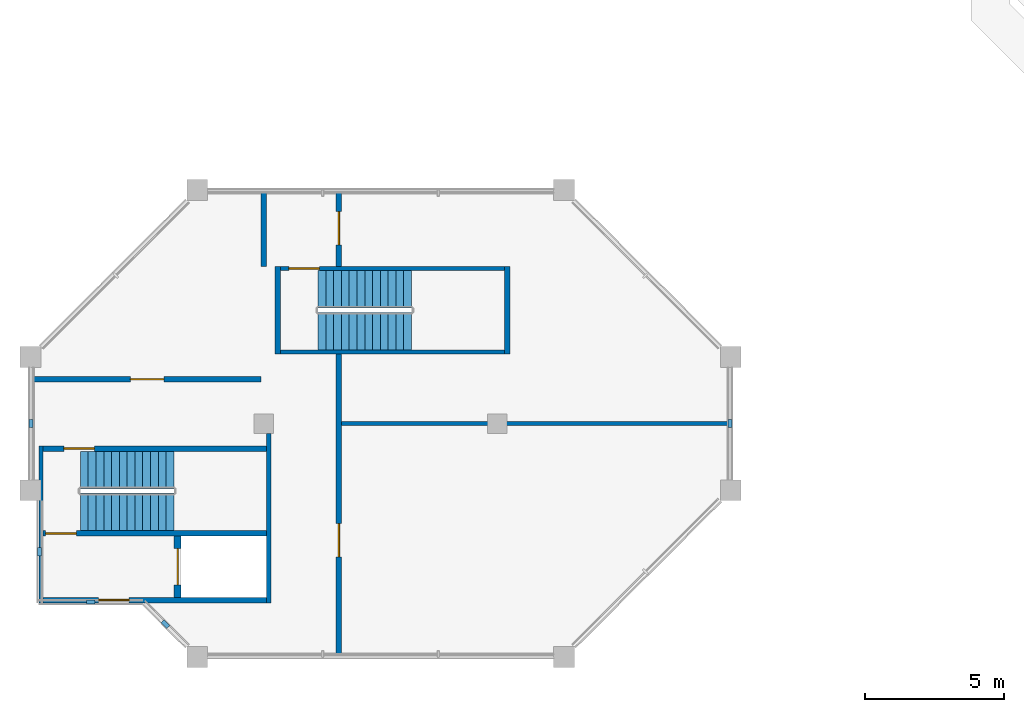
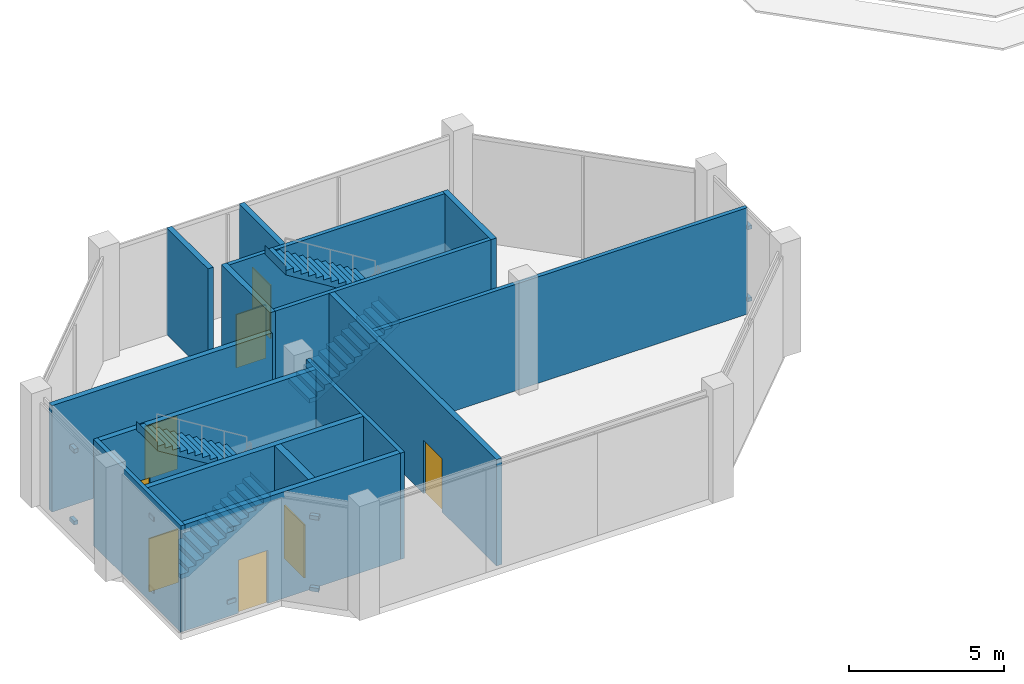
# One storey, part 2 of 4: 15 walls, 10 discrete accessories, 8 doors, 4 stair flights, 8 openings, 2 elements without a shape of their own.
"""IFC4 building model written with IfcOpenShell, lengths in metres."""

from ifc_helpers import new_model, si_unit, direction, frame, frame_2d, origin, origin_2d, place, context, subcontext, project, spatial, polyline, rectangle, outline, extrude, material, layer, layer_set, type_object, element, fill, aggregate, save


model = new_model("IFC4")

# Units and contexts
model_context = context("Model", 3, precision=1e-05, world=origin(), true_north=direction((0.0, 1.0)))
body_context = subcontext(model_context, "Body", "Model", "MODEL_VIEW")
ifc_project = project(units=[si_unit("LENGTHUNIT", "METRE"), si_unit("AREAUNIT", "SQUARE_METRE"), si_unit("VOLUMEUNIT", "CUBIC_METRE"), si_unit("PLANEANGLEUNIT", "RADIAN"), si_unit("MASSUNIT", "GRAM", prefix="KILO")], contexts=[model_context])

# Site, building, storey
site_placement = place(None, origin())
site = spatial("IfcSite", under=ifc_project, at=site_placement, CompositionType="ELEMENT")
building_placement = place(site_placement, origin())
building = spatial("IfcBuilding", under=site, at=building_placement, Name="Kawkab Arch Medical Tower", CompositionType="ELEMENT")
storey_placement = place(building_placement, frame((0.0, 0.0, 354.699951171875)))
storey = spatial("IfcBuildingStorey", under=building, at=storey_placement, Name="L82", CompositionType="ELEMENT", Elevation=354.699951171875)

# Wall, opening, door
ifc_material_1 = material(Name="Concrete C60/75", Category="concrete")
ifc_layer_1 = layer(ifc_material_1, 0.25)
ifc_layer_set_1 = layer_set([ifc_layer_1], Name="Concrete C60/75")
wall_type_1 = type_object("IfcWallType", Name="Core shear wall 250 C60/75", PredefinedType="SHEAR", material=ifc_layer_set_1)
wall_1_placement = place(storey_placement, frame((5.300048828125, -39.85009765625, 0.0), z_axis=(0.0, 0.0, 1.0), x_axis=(0.0, 1.0, 0.0)))
wall_1 = element("IfcWall", 1, at=wall_1_placement, inside=storey, type_object=wall_type_1, Name="L82 core shear wall", PredefinedType="SHEAR", context=body_context, shape_type="SweptSolid", body=[
    extrude(rectangle(XDim=2.2001953125, YDim=0.25, at=frame_2d((1.10009765625, 0.0))), origin(), (0.0, 0.0, 1.0), 4.199951171875),
])
opening_1_placement = place(wall_1_placement, frame((0.449951171875, 0.0, 0.0)))
opening_1 = element("IfcOpeningElement", 2, at=opening_1_placement, cuts=wall_1, Name="Opening LD2", PredefinedType="OPENING", context=body_context, shape_type="SweptSolid", body=[
    extrude(rectangle(XDim=1.300048828125, YDim=2.10009765625, at=frame_2d((0.64990234375, 1.050048828125))), frame((0.0, 0.135009765625, 0.0), z_axis=(0.0, -1.0, 0.0), x_axis=(1.0, 0.0, 0.0)), (0.0, 0.0, 1.0), 0.27001953125),
])
ifc_material_2 = material(Name="Stainless steel lift door leaf", Category="steel")
door_type_1 = type_object("IfcDoorType", Name="Lift landing door 1300", OperationType="DOUBLE_DOOR_SLIDING", PredefinedType="DOOR", material=ifc_material_2)
door_1_placement = place(opening_1_placement, origin())
door_1 = element("IfcDoor", 3, at=door_1_placement, inside=storey, type_object=door_type_1, Name="L82 Lift landing door SV2", OperationType="DOUBLE_DOOR_SLIDING", OverallHeight=2.10009765625, OverallWidth=1.300048828125, PredefinedType="DOOR", context=body_context, shape_type="SweptSolid", body=[
    extrude(rectangle(XDim=1.300048828125, YDim=2.10009765625, at=frame_2d((0.64990234375, 1.050048828125))), frame((0.0, 0.02490234375, 0.0), z_axis=(0.0, -1.0, 0.0), x_axis=(1.0, 0.0, 0.0)), (0.0, 0.0, 1.0), 0.050048828125),
])
fill(opening_1, door_1)

# Wall
ifc_material_3 = material(Name="Gypsum board partition on steel studs, mineral wool", Category="steel")
ifc_layer_2 = layer(ifc_material_3, 0.14990234375)
ifc_layer_set_2 = layer_set([ifc_layer_2], Name="Gypsum board partition on steel studs, mineral wool")
wall_type_2 = type_object("IfcWallType", Name="Partition 150", PredefinedType="PARTITIONING", material=ifc_layer_set_2)
wall_2_placement = place(storey_placement, frame((11.199951171875, -33.60009765625, 0.0), z_axis=(0.0, 0.0, 1.0), x_axis=(1.0, 0.0, 0.0)))
element("IfcWall", 4, at=wall_2_placement, inside=storey, type_object=wall_type_2, Name="Partition 150 w001", PredefinedType="PARTITIONING", context=body_context, shape_type="SweptSolid", body=[
    extrude(rectangle(XDim=13.920166015625, YDim=0.14990234375, at=frame_2d((6.9599609375, 0.0))), origin(), (0.0, 0.0, 1.0), 4.199951171875),
])

# Wall, opening, door
ifc_material_4 = material(Name="Fire-rated gypsum board partition on steel studs", Category="steel")
ifc_layer_3 = layer(ifc_material_4, 0.199951171875)
ifc_layer_set_3 = layer_set([ifc_layer_3], Name="Fire-rated gypsum board partition on steel studs")
wall_type_3 = type_object("IfcWallType", Name="Protected partition 200", PredefinedType="PARTITIONING", material=ifc_layer_set_3)
wall_3_placement = place(storey_placement, frame((0.080078125, -32.007080078125, 0.0), z_axis=(0.0, 0.0, 1.0), x_axis=(1.0, 0.0, 0.0)))
wall_3 = element("IfcWall", 5, at=wall_3_placement, inside=storey, type_object=wall_type_3, Name="Protected partition 200 w002", PredefinedType="PARTITIONING", context=body_context, shape_type="SweptSolid", body=[
    extrude(rectangle(XDim=8.219970703125, YDim=0.199951171875, at=frame_2d((4.10986328125, 0.0))), origin(), (0.0, 0.0, 1.0), 4.199951171875),
])
opening_2_placement = place(wall_3_placement, frame((3.52001953125, 0.0, 0.0)))
opening_2 = element("IfcOpeningElement", 6, at=opening_2_placement, cuts=wall_3, Name="Opening C82-003", PredefinedType="OPENING", context=body_context, shape_type="SweptSolid", body=[
    extrude(rectangle(XDim=1.199951171875, YDim=2.10009765625, at=frame_2d((0.60009765625, 1.050048828125))), frame((0.0, 0.10986328125, 0.0), z_axis=(0.0, -1.0, 0.0), x_axis=(1.0, 0.0, 0.0)), (0.0, 0.0, 1.0), 0.219970703125),
])
ifc_material_5 = material(Name="Hollow metal door leaf")
door_type_2 = type_object("IfcDoorType", Name="Single door 1200x2100 FD60", OperationType="NOTDEFINED", PredefinedType="DOOR", material=ifc_material_5)
door_2_placement = place(opening_2_placement, origin())
door_2 = element("IfcDoor", 7, at=door_2_placement, inside=storey, type_object=door_type_2, Name="Door C82-003", OperationType="SINGLE_SWING_RIGHT", OverallHeight=2.10009765625, OverallWidth=1.199951171875, PredefinedType="DOOR", context=body_context, shape_type="SweptSolid", body=[
    extrude(rectangle(XDim=1.199951171875, YDim=2.10009765625, at=frame_2d((0.60009765625, 1.050048828125))), frame((0.0, 0.02490234375, 0.0), z_axis=(0.0, -1.0, 0.0), x_axis=(1.0, 0.0, 0.0)), (0.0, 0.0, 1.0), 0.050048828125),
])
fill(opening_2, door_2)

# Wall
wall_4_placement = place(storey_placement, frame((8.39990234375, -27.949951171875, 0.0), z_axis=(0.0, 0.0, 1.0), x_axis=(0.0, 1.0, 0.0)))
element("IfcWall", 8, at=wall_4_placement, inside=storey, type_object=wall_type_3, Name="Protected partition 200 w003", PredefinedType="PARTITIONING", context=body_context, shape_type="SweptSolid", body=[
    extrude(rectangle(XDim=2.669921875, YDim=0.199951171875, at=frame_2d((1.3349609375, 0.0))), origin(), (0.0, 0.0, 1.0), 4.199951171875),
])

# Wall, opening, door
wall_5_placement = place(storey_placement, frame((11.10009765625, -41.919921875, 0.0), z_axis=(0.0, 0.0, 1.0), x_axis=(0.0, 1.0, 0.0)))
wall_5 = element("IfcWall", 9, at=wall_5_placement, inside=storey, type_object=wall_type_3, Name="Protected partition 200 w004", PredefinedType="PARTITIONING", context=body_context, shape_type="SweptSolid", body=[
    extrude(rectangle(XDim=10.81982421875, YDim=0.199951171875, at=frame_2d((5.409912109375, 0.0))), origin(), (0.0, 0.0, 1.0), 4.199951171875),
])
opening_3_placement = place(wall_5_placement, frame((3.52001953125, 0.0, 0.0)))
opening_3 = element("IfcOpeningElement", 10, at=opening_3_placement, cuts=wall_5, Name="Opening C82-002", PredefinedType="OPENING", context=body_context, shape_type="SweptSolid", body=[
    extrude(rectangle(XDim=1.199951171875, YDim=2.10009765625, at=frame_2d((0.60009765625, 1.050048828125))), frame((0.0, 0.10986328125, 0.0), z_axis=(0.0, -1.0, 0.0), x_axis=(1.0, 0.0, 0.0)), (0.0, 0.0, 1.0), 0.219970703125),
])
door_3_placement = place(opening_3_placement, origin())
door_3 = element("IfcDoor", 11, at=door_3_placement, inside=storey, type_object=door_type_2, Name="Door C82-002", OperationType="SINGLE_SWING_RIGHT", OverallHeight=2.10009765625, OverallWidth=1.199951171875, PredefinedType="DOOR", context=body_context, shape_type="SweptSolid", body=[
    extrude(rectangle(XDim=1.199951171875, YDim=2.10009765625, at=frame_2d((0.60009765625, 1.050048828125))), frame((0.0, 0.02490234375, 0.0), z_axis=(0.0, -1.0, 0.0), x_axis=(1.0, 0.0, 0.0)), (0.0, 0.0, 1.0), 0.050048828125),
])
fill(opening_3, door_3)

wall_6_placement = place(storey_placement, frame((11.10009765625, -27.949951171875, 0.0), z_axis=(0.0, 0.0, 1.0), x_axis=(0.0, 1.0, 0.0)))
wall_6 = element("IfcWall", 12, at=wall_6_placement, inside=storey, type_object=wall_type_3, Name="Protected partition 200 w005", PredefinedType="PARTITIONING", context=body_context, shape_type="SweptSolid", body=[
    extrude(rectangle(XDim=2.669921875, YDim=0.199951171875, at=frame_2d((1.3349609375, 0.0))), origin(), (0.0, 0.0, 1.0), 4.199951171875),
])
opening_4_placement = place(wall_6_placement, frame((0.77490234375, 0.0, 0.0)))
opening_4 = element("IfcOpeningElement", 13, at=opening_4_placement, cuts=wall_6, Name="Opening C82-001", PredefinedType="OPENING", context=body_context, shape_type="SweptSolid", body=[
    extrude(rectangle(XDim=1.199951171875, YDim=2.10009765625, at=frame_2d((0.60009765625, 1.050048828125))), frame((0.0, 0.10986328125, 0.0), z_axis=(0.0, -1.0, 0.0), x_axis=(1.0, 0.0, 0.0)), (0.0, 0.0, 1.0), 0.219970703125),
])
door_4_placement = place(opening_4_placement, origin())
door_4 = element("IfcDoor", 14, at=door_4_placement, inside=storey, type_object=door_type_2, Name="Door C82-001", OperationType="SINGLE_SWING_LEFT", OverallHeight=2.10009765625, OverallWidth=1.199951171875, PredefinedType="DOOR", context=body_context, shape_type="SweptSolid", body=[
    extrude(rectangle(XDim=1.199951171875, YDim=2.10009765625, at=frame_2d((0.60009765625, 1.050048828125))), frame((0.0, 0.02490234375, 0.0), z_axis=(0.0, -1.0, 0.0), x_axis=(1.0, 0.0, 0.0)), (0.0, 0.0, 1.0), 0.050048828125),
])
fill(opening_4, door_4)

# Walls
ifc_material_6 = material(Name="Concrete C50/60", Category="concrete")
ifc_layer_4 = layer(ifc_material_6, 0.14990234375)
ifc_layer_set_4 = layer_set([ifc_layer_4], Name="Concrete C50/60")
wall_type_4 = type_object("IfcWallType", Name="Stair enclosure wall 150 C50/60", PredefinedType="SHEAR", material=ifc_layer_set_4)
wall_7_placement = place(storey_placement, frame((0.375, -40.050048828125, 0.0), z_axis=(0.0, 0.0, 1.0), x_axis=(0.0, 1.0, 0.0)))
element("IfcWall", 15, at=wall_7_placement, inside=storey, type_object=wall_type_4, Name="L82 stair enclosure wall", PredefinedType="SHEAR", context=body_context, shape_type="SweptSolid", body=[
    extrude(rectangle(XDim=5.650146484375, YDim=0.14990234375, at=frame_2d((2.8251953125, 0.0))), origin(), (0.0, 0.0, 1.0), 4.199951171875),
])
wall_8_placement = place(storey_placement, frame((8.574951171875, -40.050048828125, 0.0), z_axis=(0.0, 0.0, 1.0), x_axis=(0.0, 1.0, 0.0)))
element("IfcWall", 16, at=wall_8_placement, inside=storey, type_object=wall_type_4, Name="L82 stair enclosure wall", PredefinedType="SHEAR", context=body_context, shape_type="SweptSolid", body=[
    extrude(rectangle(XDim=6.10009765625, YDim=0.14990234375, at=frame_2d((3.050048828125, 0.0))), origin(), (0.0, 0.0, 1.0), 4.199951171875),
])

# Wall, opening, door
wall_9_placement = place(storey_placement, frame((9.0, -28.02490234375, 0.0), z_axis=(0.0, 0.0, 1.0), x_axis=(1.0, 0.0, 0.0)))
wall_9 = element("IfcWall", 17, at=wall_9_placement, inside=storey, type_object=wall_type_4, Name="L82 stair enclosure wall", PredefinedType="SHEAR", context=body_context, shape_type="SweptSolid", body=[
    extrude(rectangle(XDim=8.050048828125, YDim=0.14990234375, at=frame_2d((4.02490234375, 0.0))), origin(), (0.0, 0.0, 1.0), 4.199951171875),
])
opening_5_placement = place(wall_9_placement, frame((0.300048828125, 0.0, 0.0)))
opening_5 = element("IfcOpeningElement", 18, at=opening_5_placement, cuts=wall_9, Name="Opening SD", PredefinedType="OPENING", context=body_context, shape_type="SweptSolid", body=[
    extrude(rectangle(XDim=1.10009765625, YDim=2.10009765625, at=frame_2d((0.550048828125, 1.050048828125))), frame((0.0, 0.0849609375, 0.0), z_axis=(0.0, -1.0, 0.0), x_axis=(1.0, 0.0, 0.0)), (0.0, 0.0, 1.0), 0.169921875),
])
ifc_material_7 = material(Name="Hollow metal fire door leaf")
door_type_3 = type_object("IfcDoorType", Name="Exit stair door 1100", OperationType="SINGLE_SWING_LEFT", PredefinedType="DOOR", material=ifc_material_7)
door_5_placement = place(opening_5_placement, origin())
door_5 = element("IfcDoor", 19, at=door_5_placement, inside=storey, type_object=door_type_3, Name="L82 Exit stair ST9 door", OperationType="SINGLE_SWING_LEFT", OverallHeight=2.10009765625, OverallWidth=1.10009765625, PredefinedType="DOOR", context=body_context, shape_type="SweptSolid", body=[
    extrude(rectangle(XDim=1.10009765625, YDim=2.10009765625, at=frame_2d((0.550048828125, 1.050048828125))), frame((0.0, 0.02490234375, 0.0), z_axis=(0.0, -1.0, 0.0), x_axis=(1.0, 0.0, 0.0)), (0.0, 0.0, 1.0), 0.050048828125),
])
fill(opening_5, door_5)

# Wall
wall_10_placement = place(storey_placement, frame((9.0, -31.02490234375, 0.0), z_axis=(0.0, 0.0, 1.0), x_axis=(1.0, 0.0, 0.0)))
element("IfcWall", 20, at=wall_10_placement, inside=storey, type_object=wall_type_4, Name="L82 stair enclosure wall", PredefinedType="SHEAR", context=body_context, shape_type="SweptSolid", body=[
    extrude(rectangle(XDim=8.050048828125, YDim=0.14990234375, at=frame_2d((4.02490234375, 0.0))), origin(), (0.0, 0.0, 1.0), 4.199951171875),
])

# Wall, opening, door
ifc_material_8 = material(Name="Concrete C50/60", Category="concrete")
ifc_layer_5 = layer(ifc_material_8, 0.199951171875)
ifc_layer_set_5 = layer_set([ifc_layer_5], Name="Concrete C50/60")
wall_type_5 = type_object("IfcWallType", Name="Stair enclosure wall 200 C50/60", PredefinedType="SHEAR", material=ifc_layer_set_5)
wall_11_placement = place(storey_placement, frame((0.449951171875, -34.5, 0.0), z_axis=(0.0, 0.0, 1.0), x_axis=(1.0, 0.0, 0.0)))
wall_11 = element("IfcWall", 21, at=wall_11_placement, inside=storey, type_object=wall_type_5, Name="L82 stair enclosure wall", PredefinedType="SHEAR", context=body_context, shape_type="SweptSolid", body=[
    extrude(rectangle(XDim=8.050048828125, YDim=0.199951171875, at=frame_2d((4.02490234375, 0.0))), origin(), (0.0, 0.0, 1.0), 4.199951171875),
])
opening_6_placement = place(wall_11_placement, frame((0.75, 0.0, 0.0)))
opening_6 = element("IfcOpeningElement", 22, at=opening_6_placement, cuts=wall_11, Name="Opening SD", PredefinedType="OPENING", context=body_context, shape_type="SweptSolid", body=[
    extrude(rectangle(XDim=1.10009765625, YDim=2.10009765625, at=frame_2d((0.550048828125, 1.050048828125))), frame((0.0, 0.10986328125, 0.0), z_axis=(0.0, -1.0, 0.0), x_axis=(1.0, 0.0, 0.0)), (0.0, 0.0, 1.0), 0.219970703125),
])
door_6_placement = place(opening_6_placement, origin())
door_6 = element("IfcDoor", 23, at=door_6_placement, inside=storey, type_object=door_type_3, Name="L82 Exit stair ST6 door", OperationType="SINGLE_SWING_LEFT", OverallHeight=2.10009765625, OverallWidth=1.10009765625, PredefinedType="DOOR", context=body_context, shape_type="SweptSolid", body=[
    extrude(rectangle(XDim=1.10009765625, YDim=2.10009765625, at=frame_2d((0.550048828125, 1.050048828125))), frame((0.0, 0.02490234375, 0.0), z_axis=(0.0, -1.0, 0.0), x_axis=(1.0, 0.0, 0.0)), (0.0, 0.0, 1.0), 0.050048828125),
])
fill(opening_6, door_6)

wall_12_placement = place(storey_placement, frame((0.449951171875, -37.550048828125, 0.0), z_axis=(0.0, 0.0, 1.0), x_axis=(1.0, 0.0, 0.0)))
wall_12 = element("IfcWall", 24, at=wall_12_placement, inside=storey, type_object=wall_type_5, Name="L82 stair enclosure wall", PredefinedType="SHEAR", context=body_context, shape_type="SweptSolid", body=[
    extrude(rectangle(XDim=8.050048828125, YDim=0.199951171875, at=frame_2d((4.02490234375, 0.0))), origin(), (0.0, 0.0, 1.0), 4.199951171875),
])
opening_7_placement = place(wall_12_placement, frame((0.10009765625, 0.0, 0.0)))
opening_7 = element("IfcOpeningElement", 25, at=opening_7_placement, cuts=wall_12, Name="Opening SD", PredefinedType="OPENING", context=body_context, shape_type="SweptSolid", body=[
    extrude(rectangle(XDim=1.10009765625, YDim=2.10009765625, at=frame_2d((0.550048828125, 1.050048828125))), frame((0.0, 0.10986328125, 0.0), z_axis=(0.0, -1.0, 0.0), x_axis=(1.0, 0.0, 0.0)), (0.0, 0.0, 1.0), 0.219970703125),
])
door_7_placement = place(opening_7_placement, frame((1.10009765625, 0.0, 0.0), z_axis=(0.0, 0.0, 1.0), x_axis=(-1.0, 0.0, 0.0)))
door_7 = element("IfcDoor", 26, at=door_7_placement, inside=storey, type_object=door_type_3, Name="L82 Exit stair ST6 lobby door", OperationType="SINGLE_SWING_LEFT", OverallHeight=2.10009765625, OverallWidth=1.10009765625, PredefinedType="DOOR", context=body_context, shape_type="SweptSolid", body=[
    extrude(rectangle(XDim=1.10009765625, YDim=2.10009765625, at=frame_2d((0.550048828125, 1.050048828125))), frame((0.0, 0.02490234375, 0.0), z_axis=(0.0, -1.0, 0.0), x_axis=(1.0, 0.0, 0.0)), (0.0, 0.0, 1.0), 0.050048828125),
])
fill(opening_7, door_7)

wall_13_placement = place(storey_placement, frame((0.449951171875, -39.949951171875, 0.0), z_axis=(0.0, 0.0, 1.0), x_axis=(1.0, 0.0, 0.0)))
wall_13 = element("IfcWall", 27, at=wall_13_placement, inside=storey, type_object=wall_type_5, Name="L82 stair enclosure wall", PredefinedType="SHEAR", context=body_context, shape_type="SweptSolid", body=[
    extrude(rectangle(XDim=8.050048828125, YDim=0.199951171875, at=frame_2d((4.02490234375, 0.0))), origin(), (0.0, 0.0, 1.0), 4.199951171875),
])
opening_8_placement = place(wall_13_placement, frame((2.0, 0.0, 0.0)))
opening_8 = element("IfcOpeningElement", 28, at=opening_8_placement, cuts=wall_13, Name="Opening FD", PredefinedType="OPENING", context=body_context, shape_type="SweptSolid", body=[
    extrude(rectangle(XDim=1.10009765625, YDim=2.10009765625, at=frame_2d((0.550048828125, 1.050048828125))), frame((0.0, 0.10986328125, 0.0), z_axis=(0.0, -1.0, 0.0), x_axis=(1.0, 0.0, 0.0)), (0.0, 0.0, 1.0), 0.219970703125),
])
ifc_material_9 = material(Name="Hollow metal fire door leaf")
door_type_4 = type_object("IfcDoorType", Name="Firefighting lobby door 1100", OperationType="SINGLE_SWING_LEFT", PredefinedType="DOOR", material=ifc_material_9)
door_8_placement = place(opening_8_placement, origin())
door_8 = element("IfcDoor", 29, at=door_8_placement, inside=storey, type_object=door_type_4, Name="L82 Service lift lobby door SV2", OperationType="SINGLE_SWING_LEFT", OverallHeight=2.10009765625, OverallWidth=1.10009765625, PredefinedType="DOOR", context=body_context, shape_type="SweptSolid", body=[
    extrude(rectangle(XDim=1.10009765625, YDim=2.10009765625, at=frame_2d((0.550048828125, 1.050048828125))), frame((0.0, 0.02490234375, 0.0), z_axis=(0.0, -1.0, 0.0), x_axis=(1.0, 0.0, 0.0)), (0.0, 0.0, 1.0), 0.050048828125),
])
fill(opening_8, door_8)

# Walls
for number, where, z_axis, x_axis, name in (
    (30, (8.89990234375, -31.10009765625, 0.0), (0.0, 0.0, 1.0), (0.0, 1.0, 0.0), "L82 stair enclosure wall"),
    (31, (17.14990234375, -31.10009765625, 0.0), (0.0, 0.0, 1.0), (0.0, 1.0, 0.0), "L82 stair enclosure wall"),
):
    element("IfcWall", number, at=place(storey_placement, frame(where, z_axis=z_axis, x_axis=x_axis)), inside=storey, type_object=wall_type_5, Name=name, PredefinedType="SHEAR", context=body_context, shape_type="SweptSolid", body=[
        extrude(rectangle(XDim=3.150146484375, YDim=0.199951171875, at=frame_2d((1.5751953125, 0.0))), origin(), (0.0, 0.0, 1.0), 4.199951171875),
    ])

# Stair, stair flights
ifc_material_10 = material(Name="Concrete C40/50", Category="concrete")
stair_type = type_object("IfcStairType", Name="Exit stair 1350", PredefinedType="HALF_TURN_STAIR", material=ifc_material_10)
placement = place(storey_placement, origin())
stair_1 = element("IfcStair", 32, at=placement, inside=storey, type_object=stair_type, Name="L82 Exit stair ST6", PredefinedType="HALF_TURN_STAIR")
ifc_material_11 = material(Name="Concrete C40/50", Category="concrete")
stair_flight_type = type_object("IfcStairFlightType", Name="Exit stair flight 1350", PredefinedType="STRAIGHT", material=ifc_material_11)
stair_flight_1_placement = place(storey_placement, frame((1.800048828125, -36.77490234375, 0.0), z_axis=(0.0, 0.0, 1.0), x_axis=(1.0, 0.0, 0.0)))
stair_flight_1 = element("IfcStairFlight", 33, at=stair_flight_1_placement, type_object=stair_flight_type, Name="ST6 flight 1", NumberOfRisers=13, NumberOfTreads=12, PredefinedType="STRAIGHT", RiserHeight=0.173076923, TreadLength=0.28, context=body_context, shape_type="SweptSolid", body=[
    extrude(outline(polyline([(-0.0029296875, 0.0), (-0.0029296875, 0.173095703125), (0.0, 0.173095703125), (0.280029296875, 0.173095703125), (0.280029296875, 0.34619140625), (0.56005859375, 0.34619140625), (0.56005859375, 0.519287109375), (0.840087890625, 0.519287109375), (0.840087890625, 0.6923828125), (1.1201171875, 0.6923828125), (1.1201171875, 0.865478515625), (1.39990234375, 0.865478515625), (1.39990234375, 1.03857421875), (1.679931640625, 1.03857421875), (1.679931640625, 1.21142578125), (1.9599609375, 1.21142578125), (1.9599609375, 1.384521484375), (2.239990234375, 1.384521484375), (2.239990234375, 1.5576171875), (2.52001953125, 1.5576171875), (2.52001953125, 1.730712890625), (2.800048828125, 1.730712890625), (2.800048828125, 1.90380859375), (3.080078125, 1.90380859375), (3.080078125, 2.076904296875), (3.360107421875, 2.076904296875), (3.360107421875, 2.25), (3.363037109375, 2.25), (3.363037109375, 1.900634765625), (3.360107421875, 1.900634765625), (0.28515625, 0.0), (-0.0029296875, 0.0)])), frame((0.0, 0.675048828125, 0.0), z_axis=(0.0, -1.0, 0.0), x_axis=(1.0, 0.0, 0.0)), (0.0, 0.0, 1.0), 1.35009765625),
])
stair_flight_2_placement = place(storey_placement, frame((5.159912109375, -35.27490234375, 2.25), z_axis=(0.0, 0.0, 1.0), x_axis=(-1.0, 0.0, 0.0)))
stair_flight_2 = element("IfcStairFlight", 34, at=stair_flight_2_placement, type_object=stair_flight_type, Name="ST6 flight 2", NumberOfRisers=13, NumberOfTreads=12, PredefinedType="STRAIGHT", RiserHeight=0.173076923, TreadLength=0.28, context=body_context, shape_type="SweptSolid", body=[
    extrude(outline(polyline([(-0.0029296875, 0.0), (-0.0029296875, 0.173095703125), (0.0, 0.173095703125), (0.280029296875, 0.173095703125), (0.280029296875, 0.34619140625), (0.56005859375, 0.34619140625), (0.56005859375, 0.519287109375), (0.840087890625, 0.519287109375), (0.840087890625, 0.6923828125), (1.1201171875, 0.6923828125), (1.1201171875, 0.865478515625), (1.39990234375, 0.865478515625), (1.39990234375, 1.03857421875), (1.679931640625, 1.03857421875), (1.679931640625, 1.21142578125), (1.9599609375, 1.21142578125), (1.9599609375, 1.384521484375), (2.239990234375, 1.384521484375), (2.239990234375, 1.5576171875), (2.52001953125, 1.5576171875), (2.52001953125, 1.730712890625), (2.800048828125, 1.730712890625), (2.800048828125, 1.90380859375), (3.080078125, 1.90380859375), (3.080078125, 2.076904296875), (3.360107421875, 2.076904296875), (3.360107421875, 2.25), (3.363037109375, 2.25), (3.363037109375, 1.900634765625), (3.360107421875, 1.900634765625), (0.28515625, 0.0), (-0.0029296875, 0.0)])), frame((0.0, 0.675048828125, 0.0), z_axis=(0.0, -1.0, 0.0), x_axis=(1.0, 0.0, 0.0)), (0.0, 0.0, 1.0), 1.35009765625),
])
aggregate(stair_1, [stair_flight_1, stair_flight_2])

stair_2 = element("IfcStair", 35, at=placement, inside=storey, type_object=stair_type, Name="L82 Exit stair ST9", PredefinedType="HALF_TURN_STAIR")
stair_flight_3_placement = place(storey_placement, frame((10.35009765625, -30.27490234375, 0.0), z_axis=(0.0, 0.0, 1.0), x_axis=(1.0, 0.0, 0.0)))
stair_flight_3 = element("IfcStairFlight", 36, at=stair_flight_3_placement, type_object=stair_flight_type, Name="ST9 flight 1", NumberOfRisers=13, NumberOfTreads=12, PredefinedType="STRAIGHT", RiserHeight=0.173076923, TreadLength=0.28, context=body_context, shape_type="SweptSolid", body=[
    extrude(outline(polyline([(-0.0029296875, 0.0), (-0.0029296875, 0.173095703125), (0.0, 0.173095703125), (0.280029296875, 0.173095703125), (0.280029296875, 0.34619140625), (0.56005859375, 0.34619140625), (0.56005859375, 0.519287109375), (0.840087890625, 0.519287109375), (0.840087890625, 0.6923828125), (1.1201171875, 0.6923828125), (1.1201171875, 0.865478515625), (1.39990234375, 0.865478515625), (1.39990234375, 1.03857421875), (1.679931640625, 1.03857421875), (1.679931640625, 1.21142578125), (1.9599609375, 1.21142578125), (1.9599609375, 1.384521484375), (2.239990234375, 1.384521484375), (2.239990234375, 1.5576171875), (2.52001953125, 1.5576171875), (2.52001953125, 1.730712890625), (2.800048828125, 1.730712890625), (2.800048828125, 1.90380859375), (3.080078125, 1.90380859375), (3.080078125, 2.076904296875), (3.360107421875, 2.076904296875), (3.360107421875, 2.25), (3.363037109375, 2.25), (3.363037109375, 1.900634765625), (3.360107421875, 1.900634765625), (0.28515625, 0.0), (-0.0029296875, 0.0)])), frame((0.0, 0.675048828125, 0.0), z_axis=(0.0, -1.0, 0.0), x_axis=(1.0, 0.0, 0.0)), (0.0, 0.0, 1.0), 1.35009765625),
])
stair_flight_4_placement = place(storey_placement, frame((13.7099609375, -28.77490234375, 2.25), z_axis=(0.0, 0.0, 1.0), x_axis=(-1.0, 0.0, 0.0)))
stair_flight_4 = element("IfcStairFlight", 37, at=stair_flight_4_placement, type_object=stair_flight_type, Name="ST9 flight 2", NumberOfRisers=13, NumberOfTreads=12, PredefinedType="STRAIGHT", RiserHeight=0.173076923, TreadLength=0.28, context=body_context, shape_type="SweptSolid", body=[
    extrude(outline(polyline([(-0.0029296875, 0.0), (-0.0029296875, 0.173095703125), (0.0, 0.173095703125), (0.280029296875, 0.173095703125), (0.280029296875, 0.34619140625), (0.56005859375, 0.34619140625), (0.56005859375, 0.519287109375), (0.840087890625, 0.519287109375), (0.840087890625, 0.6923828125), (1.1201171875, 0.6923828125), (1.1201171875, 0.865478515625), (1.39990234375, 0.865478515625), (1.39990234375, 1.03857421875), (1.679931640625, 1.03857421875), (1.679931640625, 1.21142578125), (1.9599609375, 1.21142578125), (1.9599609375, 1.384521484375), (2.239990234375, 1.384521484375), (2.239990234375, 1.5576171875), (2.52001953125, 1.5576171875), (2.52001953125, 1.730712890625), (2.800048828125, 1.730712890625), (2.800048828125, 1.90380859375), (3.080078125, 1.90380859375), (3.080078125, 2.076904296875), (3.360107421875, 2.076904296875), (3.360107421875, 2.25), (3.363037109375, 2.25), (3.363037109375, 1.900634765625), (3.360107421875, 1.900634765625), (0.28515625, 0.0), (-0.0029296875, 0.0)])), frame((0.0, 0.675048828125, 0.0), z_axis=(0.0, -1.0, 0.0), x_axis=(1.0, 0.0, 0.0)), (0.0, 0.0, 1.0), 1.35009765625),
])
aggregate(stair_2, [stair_flight_3, stair_flight_4])

# Discrete accessories
ifc_material_12 = material(Name="Galvanised steel screen bracket", Category="steel")
discrete_accessory_type = type_object("IfcDiscreteAccessoryType", Name="Screen bracket 300 x 150", PredefinedType="BRACKET", material=ifc_material_12)
for number, where, z_axis, x_axis, name in (
    (38, (0.027587890625, -33.60009765625, 0.525146484375), (0.0, 0.0, 1.0), (0.0, -1.0, 0.0), "Screen bracket L82 R01.1.1.1"),
    (39, (0.027587890625, -33.60009765625, 3.364990234375), (0.0, 0.0, 1.0), (0.0, -1.0, 0.0), "Screen bracket L82 R01.1.1.2"),
    (40, (0.327392578125, -38.21240234375, 0.525146484375), (0.0, 0.0, 1.0), (0.0, -1.0, 0.0), "Screen bracket L82 R03.1.1.1"),
    (41, (0.327392578125, -38.21240234375, 3.364990234375), (0.0, 0.0, 1.0), (0.0, -1.0, 0.0), "Screen bracket L82 R03.1.1.2"),
    (42, (2.175048828125, -40.0224609375, 0.525146484375), (0.0, 0.0, 1.0), (1.0, 0.0, 0.0), "Screen bracket L82 R04.1.1.1"),
    (43, (2.175048828125, -40.0224609375, 3.364990234375), (0.0, 0.0, 1.0), (1.0, 0.0, 0.0), "Screen bracket L82 R04.1.1.2"),
    (44, (4.85693359375, -40.818115234375, 0.525146484375), (0.0, 0.0, 1.0), (0.707106781187, -0.707106781187, 0.0), "Screen bracket L82 R05.1.1.1"),
    (45, (4.85693359375, -40.818115234375, 3.364990234375), (0.0, 0.0, 1.0), (0.707106781187, -0.707106781187, 0.0), "Screen bracket L82 R05.1.1.2"),
    (46, (25.172607421875, -33.60009765625, 0.525146484375), (0.0, 0.0, 1.0), (0.0, 1.0, 0.0), "Screen bracket L82 R08.1.1.1"),
    (47, (25.172607421875, -33.60009765625, 3.364990234375), (0.0, 0.0, 1.0), (0.0, 1.0, 0.0), "Screen bracket L82 R08.1.1.2"),
):
    element("IfcDiscreteAccessory", number, at=place(storey_placement, frame(where, z_axis=z_axis, x_axis=x_axis)), inside=storey, type_object=discrete_accessory_type, Name=name, PredefinedType="BRACKET", context=body_context, shape_type="SweptSolid", body=[
        extrude(rectangle(XDim=0.300048828125, YDim=0.14501953125, at=origin_2d()), origin(), (0.0, 0.0, 1.0), 0.14990234375),
    ])

save(model, "model.ifc")
